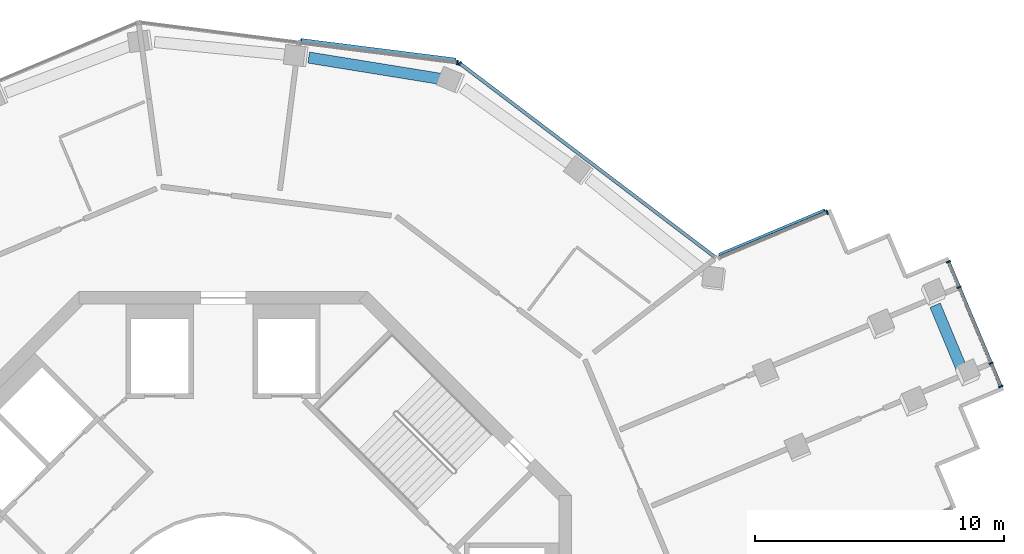
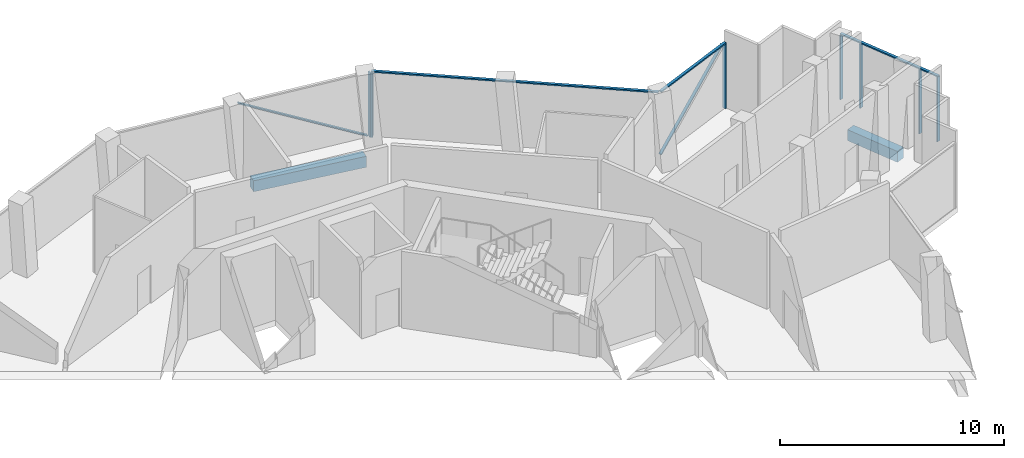
# One storey, part 8 of 18: 12 members, 2 beams, 4 elements without a shape of their own.
"""IFC4 building model written with IfcOpenShell, lengths in metres."""

import ifcopenshell
import ifcopenshell.guid

model = None  # the IFC model being written
_history = None  # IfcOwnerHistory: only IFC2X3 demands one
_inside = {}  # id of a spatial element -> (the spatial element, [elements in it])
_under = {}  # id of a project, library or spatial element -> (it, [spatial elements below it])
_declared = {}  # id of a project -> (the project, [libraries it declares])
_typed = {}  # id of a type object -> (the type object, [elements of that type])
_made_of = {}  # id of a material, layer set ... -> (it, [elements and type objects made of it])


def new_model(schema):
    """Start an empty IFC model of exactly this schema.

    Asked for "IFC4X3", IfcOpenShell would pick the latest addendum, in which some entities
    have other attributes; the version numbers below select the first issue.
    IFC2X3 requires an IfcOwnerHistory on every rooted entity: one is made here for all.
    """
    global model, _history
    if schema == "IFC4X3":
        model = ifcopenshell.file(schema_version=(4, 3, 0, 0))
    else:
        model = ifcopenshell.file(schema=schema)
    _inside.clear()
    _under.clear()
    _declared.clear()
    _typed.clear()
    _made_of.clear()
    _history = None
    if model.schema == "IFC2X3":
        org = make("IfcOrganization", Name="unknown")
        user = make(
            "IfcPersonAndOrganization",
            ThePerson=make("IfcPerson", FamilyName="unknown"),
            TheOrganization=org,
        )
        app = make(
            "IfcApplication",
            ApplicationDeveloper=org,
            Version="unknown",
            ApplicationFullName="unknown",
            ApplicationIdentifier="unknown",
        )
        _history = make(
            "IfcOwnerHistory",
            OwningUser=user,
            OwningApplication=app,
            ChangeAction="ADDED",
            CreationDate=0,
        )
    return model


def make(cls, **values):
    """One entity of the class cls with the attributes given. An attribute that is None is left unset."""
    return model.create_entity(
        cls, **{name: value for name, value in values.items() if value is not None}
    )


def rooted(cls, **values):
    """An entity with a GlobalId (a new one), such as an element, a storey or a relation."""
    return make(cls, GlobalId=ifcopenshell.guid.new(), OwnerHistory=_history, **values)


def si_unit(unit_type, name, prefix=None):
    """IfcSIUnit, for example si_unit("LENGTHUNIT", "METRE", prefix="MILLI")."""
    return make("IfcSIUnit", UnitType=unit_type, Prefix=prefix, Name=name)


def assignment(units):
    """IfcUnitAssignment: the units of a project."""
    return None if units is None else make("IfcUnitAssignment", Units=units)


def point(xyz):
    """IfcCartesianPoint."""
    return None if xyz is None else make("IfcCartesianPoint", Coordinates=xyz)


def direction(xyz):
    """IfcDirection."""
    return None if xyz is None else make("IfcDirection", DirectionRatios=xyz)


def frame(location, z_axis=None, x_axis=None):
    """IfcAxis2Placement3D, a coordinate frame: its origin and axes. An axis left out is left unset."""
    return make(
        "IfcAxis2Placement3D",
        Location=point(location),
        Axis=direction(z_axis),
        RefDirection=direction(x_axis),
    )


def frame_2d(location, x_axis=None):
    """IfcAxis2Placement2D, a coordinate frame in the plane: its origin and x axis."""
    return make(
        "IfcAxis2Placement2D", Location=point(location), RefDirection=direction(x_axis)
    )


def origin():
    """The frame at (0, 0, 0) with its axes left unset."""
    return frame((0.0, 0.0, 0.0))


def origin_2d():
    """The frame at (0, 0) in the plane with its x axis left unset."""
    return frame_2d((0.0, 0.0))


def place(relative_to, where):
    """IfcLocalPlacement: puts the frame where relative to a parent placement (None: the world)."""
    return make(
        "IfcLocalPlacement", PlacementRelTo=relative_to, RelativePlacement=where
    )


def context(
    kind, dimensions, precision=None, world=None, true_north=None, identifier=None
):
    """IfcGeometricRepresentationContext, for example the 3D "Model" context."""
    return make(
        "IfcGeometricRepresentationContext",
        ContextIdentifier=identifier,
        ContextType=kind,
        CoordinateSpaceDimension=dimensions,
        Precision=precision,
        WorldCoordinateSystem=world,
        TrueNorth=true_north,
    )


def subcontext(parent, identifier, kind, view, scale=None):
    """IfcGeometricRepresentationSubContext, for example "Body" below "Model"."""
    return make(
        "IfcGeometricRepresentationSubContext",
        ContextIdentifier=identifier,
        ContextType=kind,
        ParentContext=parent,
        TargetScale=scale,
        TargetView=view,
    )


def project(units=None, contexts=None):
    """IfcProject with its units and contexts."""
    return rooted(
        "IfcProject",
        Name="project",
        RepresentationContexts=contexts,
        UnitsInContext=assignment(units),
    )


def spatial(cls, under=None, at=None, **own):
    """A site, building, storey or space (cls), placed at a placement, below another one or the project."""
    s = rooted(cls, ObjectPlacement=at, **own)
    if under is not None:
        _under.setdefault(under.id(), (under, []))[1].append(s)
    return s


def profile(cls, at=None, kind="AREA", **sizes):
    """A parametric profile (cls). Its sizes go by their IFC names, for example OverallWidth=200.0."""
    return make(cls, ProfileType=kind, Position=at, **sizes)


def rectangle(**sizes):
    """IfcRectangleProfileDef."""
    return profile("IfcRectangleProfileDef", **sizes)


def extrude(swept, where, along, depth):
    """IfcExtrudedAreaSolid: the profile swept, set in the frame where, extruded along a direction by depth."""
    return make(
        "IfcExtrudedAreaSolid",
        SweptArea=swept,
        Position=where,
        ExtrudedDirection=direction(along),
        Depth=depth,
    )


def shape(context_of_items, identifier, shape_type, items):
    """IfcShapeRepresentation: the items that make up one representation, for example the "Body"."""
    return make(
        "IfcShapeRepresentation",
        ContextOfItems=context_of_items,
        RepresentationIdentifier=identifier,
        RepresentationType=shape_type,
        Items=items,
    )


def material(Name=None, Category=None):
    """IfcMaterial."""
    return make("IfcMaterial", Name=Name, Category=Category)


def layer(
    of_material, thickness, ventilated=None, Name=None, Category=None, Priority=None
):
    """IfcMaterialLayer: one layer of a wall or slab, of a material (None: an air gap)."""
    return make(
        "IfcMaterialLayer",
        Material=of_material,
        LayerThickness=thickness,
        IsVentilated=ventilated,
        Name=Name,
        Category=Category,
        Priority=Priority,
    )


def layer_set(layers, Name=None):
    """IfcMaterialLayerSet."""
    return make("IfcMaterialLayerSet", MaterialLayers=layers, LayerSetName=Name)


def material_profile(
    of_material, cross_section, Name=None, Category=None, Priority=None
):
    """IfcMaterialProfile: a cross section and its material."""
    return make(
        "IfcMaterialProfile",
        Name=Name,
        Material=of_material,
        Profile=cross_section,
        Priority=Priority,
        Category=Category,
    )


def profile_set(profiles, Name=None, composite=None):
    """IfcMaterialProfileSet."""
    return make(
        "IfcMaterialProfileSet",
        Name=Name,
        MaterialProfiles=profiles,
        CompositeProfile=composite,
    )


def made_of(thing, what):
    """Note that an element or type object is made of a material, layer set ...; save() writes the relation."""
    if what is not None:
        _made_of.setdefault(what.id(), (what, []))[1].append(thing)
    return thing


def type_object(cls, material=None, **own):
    """A type object (cls), such as IfcWallType, which elements share."""
    return made_of(rooted(cls, **own), material)


def element(
    cls,
    number,
    at=None,
    inside=None,
    cuts=None,
    type_object=None,
    material=None,
    context=None,
    identifier="Body",
    shape_type=None,
    held_by="IfcProductDefinitionShape",
    body=None,
    shapes=None,
    **own,
):
    """One element of the class cls, such as IfcWall. Its Tag is "e" and its number.

    at: its placement. inside: the storey or other place that contains it. cuts: it is an
    opening in that element (IfcRelVoidsElement). A single representation is given by context,
    identifier, shape_type and body (its items); several are given by shapes. held_by: the class
    of the entity that holds the representations. save() writes the other relations.
    """
    e = rooted(cls, Tag="e%d" % number, ObjectPlacement=at, **own)
    if body is not None:
        shapes = [shape(context, identifier, shape_type, body)]
    if shapes is not None:
        e.Representation = make(held_by, Representations=shapes)
    if inside is not None:
        _inside.setdefault(inside.id(), (inside, []))[1].append(e)
    if cuts is not None:
        rooted(
            "IfcRelVoidsElement", RelatingBuildingElement=cuts, RelatedOpeningElement=e
        )
    if type_object is not None:
        _typed.setdefault(type_object.id(), (type_object, []))[1].append(e)
    return made_of(e, material)


def aggregate(whole, parts):
    """IfcRelAggregates: a whole, such as a stair, and the parts it consists of."""
    return rooted("IfcRelAggregates", RelatingObject=whole, RelatedObjects=parts)


def save(model, path):
    """Write the relations noted so far, then the file.

    IfcRelAggregates (storeys below a building ...), IfcRelContainedInSpatialStructure (elements
    in a storey), IfcRelDefinesByType, IfcRelAssociatesMaterial and IfcRelDeclares: one each for
    every whole, place, type object, material and project.
    """
    for whole, parts in _under.values():
        aggregate(whole, parts)
    for where, things in _inside.values():
        rooted(
            "IfcRelContainedInSpatialStructure",
            RelatedElements=things,
            RelatingStructure=where,
        )
    for kind, things in _typed.values():
        rooted("IfcRelDefinesByType", RelatedObjects=things, RelatingType=kind)
    for what, things in _made_of.values():
        rooted("IfcRelAssociatesMaterial", RelatedObjects=things, RelatingMaterial=what)
    for by, libraries in _declared.values():
        rooted("IfcRelDeclares", RelatingContext=by, RelatedDefinitions=libraries)
    model.write(path)


model = new_model("IFC4")

# Units and contexts
model_context = context("Model", 3, precision=1e-05, world=origin(), true_north=direction((0.0, 1.0)))
body_context = subcontext(model_context, "Body", "Model", "MODEL_VIEW")
ifc_project = project(units=[si_unit("LENGTHUNIT", "METRE"), si_unit("AREAUNIT", "SQUARE_METRE"), si_unit("VOLUMEUNIT", "CUBIC_METRE"), si_unit("PLANEANGLEUNIT", "RADIAN"), si_unit("MASSUNIT", "GRAM", prefix="KILO")], contexts=[model_context])

# Site, building, storey
site_placement = place(None, origin())
site = spatial("IfcSite", under=ifc_project, at=site_placement, CompositionType="ELEMENT")
building_placement = place(site_placement, origin())
building = spatial("IfcBuilding", under=site, at=building_placement, Name="Verdalira Terraces Hotel", CompositionType="ELEMENT")
storey_placement = place(building_placement, frame((0.0, 0.0, 248.0)))
storey = spatial("IfcBuildingStorey", under=building, at=storey_placement, Name="L61", CompositionType="ELEMENT", Elevation=248.0)

# Curtain wall, members
ifc_material_1 = material(Name="Clear glass", Category="glass")
ifc_layer = layer(ifc_material_1, 0.179931640625)
ifc_layer_set = layer_set([ifc_layer], Name="CW4 curtain wall")
curtain_wall_type = type_object("IfcCurtainWallType", Name="CW4 curtain wall", PredefinedType="NOTDEFINED", material=ifc_layer_set)
curtain_wall_1_placement = place(storey_placement, origin())
curtain_wall_1 = element("IfcCurtainWall", 1, at=curtain_wall_1_placement, inside=storey, type_object=curtain_wall_type, Name="CW4 curtain wall L61 edge 33", PredefinedType="NOTDEFINED")
ifc_material_2 = material(Name="Terracotta frame", Category="masonry")
ifc_material_profile_1 = material_profile(ifc_material_2, rectangle(XDim=0.064941, YDim=0.179932, at=origin_2d()), Name="MU 65x180")
ifc_profile_set_1 = profile_set([ifc_material_profile_1], Name="Terracotta frame")
member_type_1 = type_object("IfcMemberType", Name="CW4 mullion 65x180", PredefinedType="MULLION", material=ifc_profile_set_1)
member_1_placement = place(storey_placement, frame((31.239746, 10.184082, 0.0), z_axis=(0.0, 0.0, 1.0), x_axis=(-0.387515586, 0.921863152, 0.0)))
member_1 = element("IfcMember", 2, at=member_1_placement, type_object=member_type_1, Name="CW4 mullion", PredefinedType="MULLION", context=body_context, shape_type="SweptSolid", body=[
    extrude(rectangle(XDim=0.064941, YDim=0.179932, at=origin_2d()), origin(), (0.0, 0.0, 1.0), 3.52002),
])
member_2_placement = place(storey_placement, frame((30.847168, 11.118164, 0.0), z_axis=(0.0, 0.0, 1.0), x_axis=(-0.387515586, 0.921863152, 0.0)))
member_2 = element("IfcMember", 3, at=member_2_placement, type_object=member_type_1, Name="CW4 mullion", PredefinedType="MULLION", context=body_context, shape_type="SweptSolid", body=[
    extrude(rectangle(XDim=0.064941, YDim=0.179932, at=origin_2d()), origin(), (0.0, 0.0, 1.0), 3.52002),
])
member_3_placement = place(storey_placement, frame((29.562744, 14.174072, 0.0), z_axis=(0.0, 0.0, 1.0), x_axis=(-0.387515586, 0.921863152, 0.0)))
member_3 = element("IfcMember", 4, at=member_3_placement, type_object=member_type_1, Name="CW4 mullion", PredefinedType="MULLION", context=body_context, shape_type="SweptSolid", body=[
    extrude(rectangle(XDim=0.064941, YDim=0.179932, at=origin_2d()), origin(), (0.0, 0.0, 1.0), 3.52002),
])
member_4_placement = place(storey_placement, frame((29.133789, 15.19458, 0.0), z_axis=(0.0, 0.0, 1.0), x_axis=(-0.387515586, 0.921863152, 0.0)))
member_4 = element("IfcMember", 5, at=member_4_placement, type_object=member_type_1, Name="CW4 mullion", PredefinedType="MULLION", context=body_context, shape_type="SweptSolid", body=[
    extrude(rectangle(XDim=0.064941, YDim=0.179932, at=origin_2d()), origin(), (0.0, 0.0, 1.0), 3.52002),
])

# Curtain wall, member
curtain_wall_2_placement = place(storey_placement, origin())
curtain_wall_2 = element("IfcCurtainWall", 6, at=curtain_wall_2_placement, inside=storey, type_object=curtain_wall_type, Name="CW4 curtain wall L61 edge 38", PredefinedType="NOTDEFINED")
member_5_placement = place(storey_placement, frame((24.259521, 17.183594, 0.0), z_axis=(0.0, 0.0, 1.0), x_axis=(-0.921863152, -0.387515586, 0.0)))
member_5 = element("IfcMember", 7, at=member_5_placement, type_object=member_type_1, Name="CW4 mullion", PredefinedType="MULLION", context=body_context, shape_type="SweptSolid", body=[
    extrude(rectangle(XDim=0.064941, YDim=0.179932, at=origin_2d()), origin(), (0.0, 0.0, 1.0), 3.52002),
])

curtain_wall_3_placement = place(storey_placement, origin())
curtain_wall_3 = element("IfcCurtainWall", 8, at=curtain_wall_3_placement, inside=storey, type_object=curtain_wall_type, Name="CW4 curtain wall L61 edge 39", PredefinedType="NOTDEFINED")
member_6_placement = place(storey_placement, frame((9.510742, 23.160645, 0.0), z_axis=(0.0, 0.0, 1.0), x_axis=(-0.796529918, 0.604599115, 0.0)))
member_6 = element("IfcMember", 9, at=member_6_placement, type_object=member_type_1, Name="CW4 mullion", PredefinedType="MULLION", context=body_context, shape_type="SweptSolid", body=[
    extrude(rectangle(XDim=0.064941, YDim=0.179932, at=origin_2d()), origin(), (0.0, 0.0, 1.0), 3.52002),
])

curtain_wall_4_placement = place(storey_placement, origin())
curtain_wall_4 = element("IfcCurtainWall", 10, at=curtain_wall_4_placement, inside=storey, type_object=curtain_wall_type, Name="CW4 curtain wall L61 edge 40", PredefinedType="NOTDEFINED")
member_7_placement = place(storey_placement, frame((9.409424, 23.201904, 0.0), z_axis=(0.0, 0.0, 1.0), x_axis=(-0.992114701, 0.125333234, 0.0)))
member_7 = element("IfcMember", 11, at=member_7_placement, type_object=member_type_1, Name="CW4 mullion", PredefinedType="MULLION", context=body_context, shape_type="SweptSolid", body=[
    extrude(rectangle(XDim=0.064941, YDim=0.179932, at=origin_2d()), origin(), (0.0, 0.0, 1.0), 3.52002),
])

# Member
ifc_material_3 = material(Name="Terracotta frame", Category="masonry")
ifc_material_profile_2 = material_profile(ifc_material_3, rectangle(XDim=0.139893, YDim=0.070068, at=origin_2d()), Name="TR 70x140")
ifc_profile_set_2 = profile_set([ifc_material_profile_2], Name="Terracotta frame")
member_type_2 = type_object("IfcMemberType", Name="CW4 transom 70x140", PredefinedType="USERDEFINED", material=ifc_profile_set_2)
member_8_placement = place(storey_placement, frame((31.252441, 10.154297, 3.554932), z_axis=(-0.387529055, 0.92185749, 0.0), x_axis=(-0.92185749, -0.387529055, 0.0)))
member_8 = element("IfcMember", 12, at=member_8_placement, type_object=member_type_2, Name="CW4 transom", ObjectType="TRANSOM", PredefinedType="USERDEFINED", context=body_context, shape_type="SweptSolid", body=[
    extrude(rectangle(XDim=0.139893, YDim=0.070068, at=origin_2d()), origin(), (0.0, 0.0, 1.0), 5.499756),
])

aggregate(curtain_wall_1, [member_1, member_2, member_3, member_4, member_8])

member_9_placement = place(storey_placement, frame((24.289551, 17.196289, 3.554932), z_axis=(-0.921857324, -0.38752945, 0.0), x_axis=(0.38752945, -0.921857324, 0.0)))
member_9 = element("IfcMember", 13, at=member_9_placement, type_object=member_type_2, Name="CW4 transom", ObjectType="TRANSOM", PredefinedType="USERDEFINED", context=body_context, shape_type="SweptSolid", body=[
    extrude(rectangle(XDim=0.139893, YDim=0.070068, at=origin_2d()), origin(), (0.0, 0.0, 1.0), 4.779785),
])

member_10_placement = place(storey_placement, frame((19.793945, 15.355225, 3.554932), z_axis=(-0.796532448, 0.604595782, 0.0), x_axis=(-0.604595782, -0.796532448, 0.0)))
member_10 = element("IfcMember", 14, at=member_10_placement, type_object=member_type_2, Name="CW4 transom", ObjectType="TRANSOM", PredefinedType="USERDEFINED", context=body_context, shape_type="SweptSolid", body=[
    extrude(rectangle(XDim=0.139893, YDim=0.070068, at=origin_2d()), origin(), (0.0, 0.0, 1.0), 12.942383),
])

aggregate(curtain_wall_3, [member_6, member_10])

ifc_material_4 = material(Name="Terracotta frame", Category="masonry")
ifc_material_profile_3 = material_profile(ifc_material_4, rectangle(XDim=0.149902, YDim=0.060059, at=origin_2d()), Name="GB 60x150")
ifc_profile_set_3 = profile_set([ifc_material_profile_3], Name="Terracotta frame")
member_type_3 = type_object("IfcMemberType", Name="Diagonal glazing bar 60x150", PredefinedType="USERDEFINED", material=ifc_profile_set_3)
member_11_placement = place(storey_placement, frame((24.162842, 17.243896, 3.494873), z_axis=(-0.734993404, -0.308972438, -0.603589868), x_axis=(0.387525883, -0.921858823, 0.0)))
member_11 = element("IfcMember", 15, at=member_11_placement, type_object=member_type_3, Name="Diagonal glazing bar", ObjectType="GLAZING BAR", PredefinedType="USERDEFINED", context=body_context, shape_type="SweptSolid", body=[
    extrude(rectangle(XDim=0.149902, YDim=0.060059, at=origin_2d()), origin(), (0.0, 0.0, 1.0), 5.748535),
])

aggregate(curtain_wall_2, [member_5, member_9, member_11])

member_12_placement = place(storey_placement, frame((9.340088, 23.304443, 0.0271), z_axis=(-0.868110402, 0.10967759, 0.484102422), x_axis=(-0.125344193, -0.992113317, 0.0)))
member_12 = element("IfcMember", 16, at=member_12_placement, type_object=member_type_3, Name="Diagonal glazing bar", ObjectType="GLAZING BAR", PredefinedType="USERDEFINED", context=body_context, shape_type="SweptSolid", body=[
    extrude(rectangle(XDim=0.149902, YDim=0.060059, at=origin_2d()), origin(), (0.0, 0.0, 1.0), 7.158691),
])

aggregate(curtain_wall_4, [member_7, member_12])

# Beams
ifc_material_5 = material(Name="Concrete C40", Category="concrete")
ifc_material_profile_4 = material_profile(ifc_material_5, rectangle(XDim=0.449951, YDim=0.600098, at=origin_2d()), Name="RC 450X600")
ifc_profile_set_4 = profile_set([ifc_material_profile_4], Name="Concrete C40")
beam_type = type_object("IfcBeamType", Name="Spandrel beam RC 450X600 C40", PredefinedType="SPANDREL", material=ifc_profile_set_4)
beam_1_placement = place(storey_placement, frame((29.68042, 10.853516, -0.610107), z_axis=(-0.384831262, 0.922986944, 0.0), x_axis=(-0.922986944, -0.384831262, 0.0)))
element("IfcBeam", 17, at=beam_1_placement, inside=storey, type_object=beam_type, Name="Spandrel beam B17", PredefinedType="SPANDREL", context=body_context, shape_type="SweptSolid", body=[
    extrude(rectangle(XDim=0.449951, YDim=0.600098, at=origin_2d()), origin(), (0.0, 0.0, 1.0), 2.810547),
])
beam_2_placement = place(storey_placement, frame((8.763184, 22.535645, -0.610107), z_axis=(-0.987167608, 0.159687547, 0.0), x_axis=(-0.159687547, -0.987167608, 0.0)))
element("IfcBeam", 18, at=beam_2_placement, inside=storey, type_object=beam_type, Name="Spandrel beam B20", PredefinedType="SPANDREL", context=body_context, shape_type="SweptSolid", body=[
    extrude(rectangle(XDim=0.449951, YDim=0.600098, at=origin_2d()), origin(), (0.0, 0.0, 1.0), 5.396973),
])

save(model, "model.ifc")
